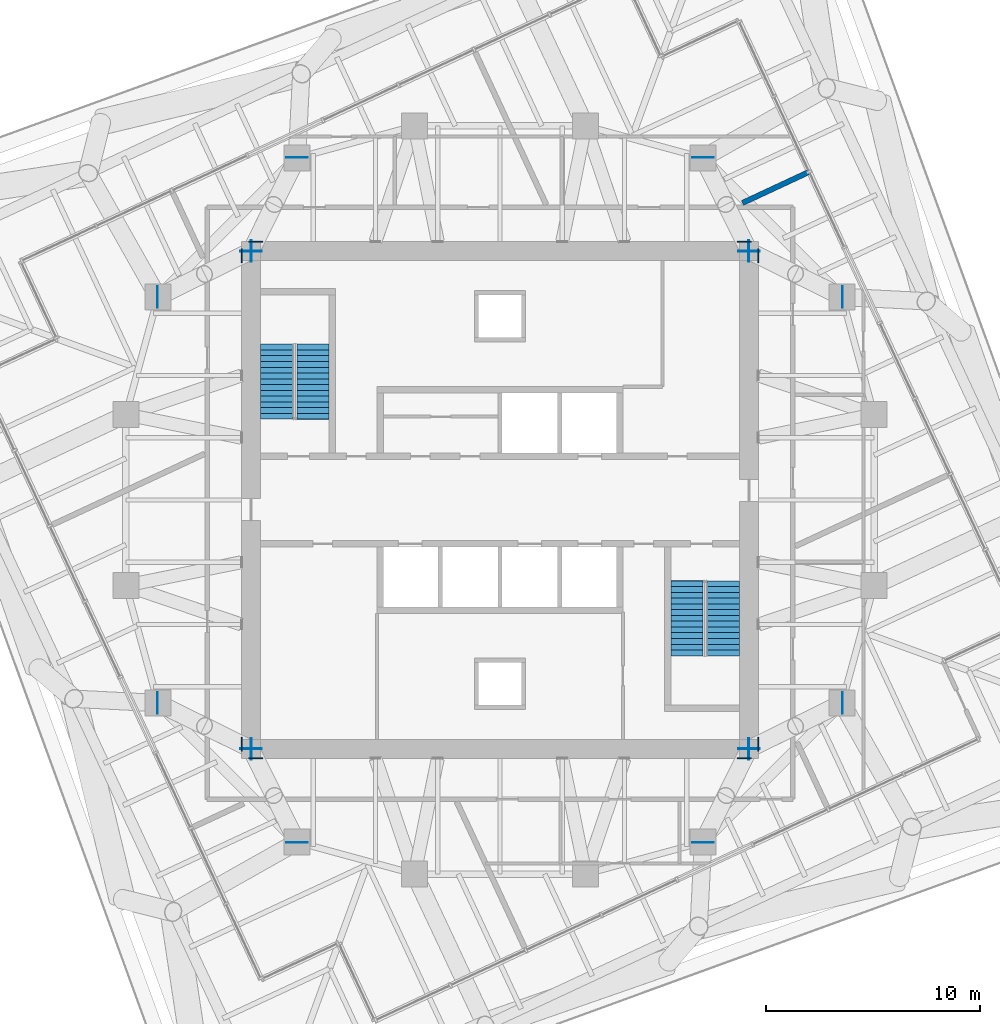
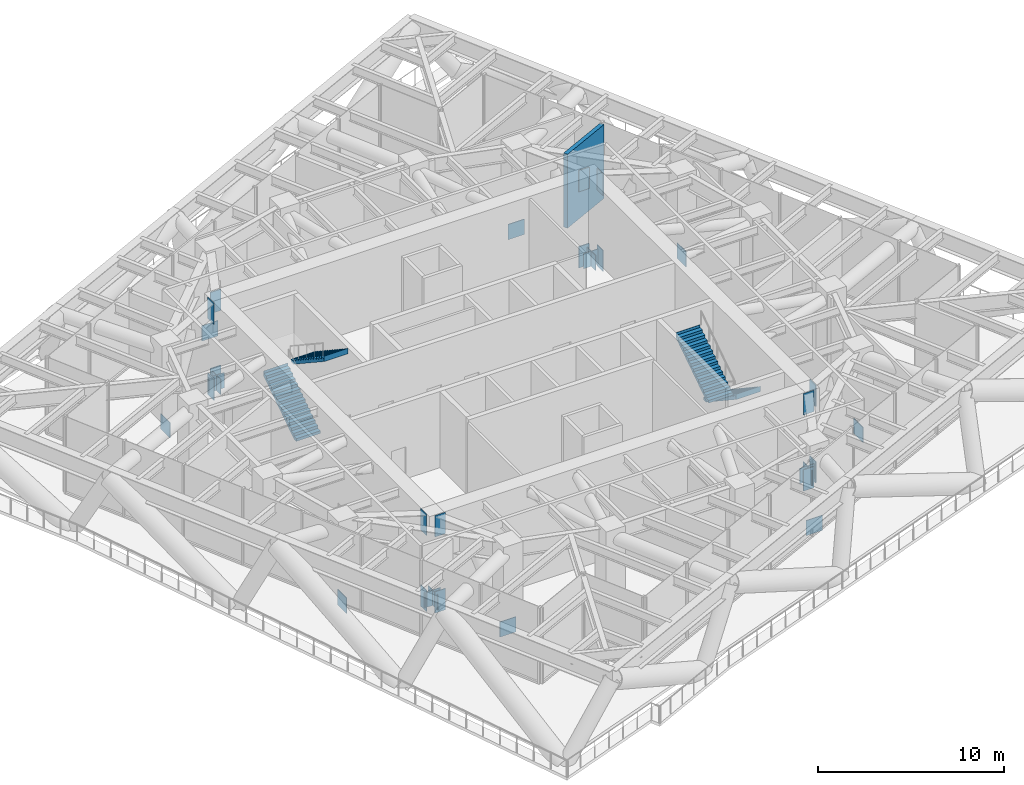
# One storey, part 11 of 16: 32 discrete accessories, 4 stair flights, 1 wall, 2 elements without a shape of their own.
"""IFC4 building model written with IfcOpenShell, lengths in metres."""

from ifc_helpers import new_model, si_unit, direction, frame, frame_2d, origin, origin_2d, place, context, subcontext, project, spatial, polyline, rectangle, outline, extrude, material, layer, layer_set, type_object, element, aggregate, save


model = new_model("IFC4")

# Units and contexts
model_context = context("Model", 3, precision=1e-05, world=origin(), true_north=direction((0.0, 1.0)))
body_context = subcontext(model_context, "Body", "Model", "MODEL_VIEW")
ifc_project = project(units=[si_unit("LENGTHUNIT", "METRE"), si_unit("AREAUNIT", "SQUARE_METRE"), si_unit("VOLUMEUNIT", "CUBIC_METRE"), si_unit("PLANEANGLEUNIT", "RADIAN"), si_unit("MASSUNIT", "GRAM", prefix="KILO")], contexts=[model_context])

# Site, building, storey
site_placement = place(None, origin())
site = spatial("IfcSite", under=ifc_project, at=site_placement, CompositionType="ELEMENT")
building_placement = place(site_placement, origin())
building = spatial("IfcBuilding", under=site, at=building_placement, Name="Torsade Residences", CompositionType="ELEMENT")
storey_placement = place(building_placement, frame((0.0, 0.0, 171.0)))
storey = spatial("IfcBuildingStorey", under=building, at=storey_placement, Name="L47", CompositionType="ELEMENT", Elevation=171.0)

# Wall
ifc_material_1 = material(Name="Masonry-lined stud party wall", Category="masonry")
ifc_layer_1 = layer(ifc_material_1, 0.25)
ifc_layer_set_1 = layer_set([ifc_layer_1], Name="Masonry-lined stud party wall")
wall_type = type_object("IfcWallType", Name="PARTY WALL 250", PredefinedType="PARTITIONING", material=ifc_layer_set_1)
wall_placement = place(storey_placement, frame((54.46728515625, 45.3525390625, 0.0), z_axis=(0.0, 0.0, 1.0), x_axis=(-0.906322475905, -0.422586759932, 0.0)))
element("IfcWall", 1, at=wall_placement, inside=storey, type_object=wall_type, Name="Party wall L47", PredefinedType="PARTITIONING", context=body_context, shape_type="SweptSolid", body=[
    extrude(rectangle(XDim=3.445556640625, YDim=0.25, at=frame_2d((1.72265625, 0.0))), origin(), (0.0, 0.0, 1.0), 4.85009765625),
])

# Stair, stair flights
ifc_material_2 = material(Name="Precast concrete 40 MPa", Category="concrete")
stair_type = type_object("IfcStairType", Name="HALF-TURN FIRE STAIR 1500x5000", PredefinedType="HALF_TURN_STAIR", material=ifc_material_2)
stair_1_placement = place(storey_placement, origin())
stair_1 = element("IfcStair", 2, at=stair_1_placement, inside=storey, type_object=stair_type, Name="Stair ST1 L47", PredefinedType="HALF_TURN_STAIR")
ifc_material_3 = material(Name="Precast concrete 40 MPa", Category="concrete")
stair_flight_type = type_object("IfcStairFlightType", Name="PRECAST STAIR FLIGHT 1500x2500", PredefinedType="STRAIGHT", material=ifc_material_3)
stair_flight_1_placement = place(storey_placement, frame((29.550048828125, 33.780029296875, 0.0), z_axis=(0.0, 0.0, 1.0), x_axis=(0.0, 1.0, 0.0)))
stair_flight_1 = element("IfcStairFlight", 3, at=stair_flight_1_placement, type_object=stair_flight_type, Name="ST1 flight 1", NumberOfRisers=14, NumberOfTreads=13, PredefinedType="STRAIGHT", RiserHeight=0.178571429, TreadLength=0.27, context=body_context, shape_type="SweptSolid", body=[
    extrude(outline(polyline([(0.0, 0.0), (0.0, 0.178466796875), (0.27001953125, 0.178466796875), (0.27001953125, 0.357177734375), (0.5400390625, 0.357177734375), (0.5400390625, 0.53564453125), (0.81005859375, 0.53564453125), (0.81005859375, 0.71435546875), (1.080078125, 0.71435546875), (1.080078125, 0.892822265625), (1.35009765625, 0.892822265625), (1.35009765625, 1.071533203125), (1.6201171875, 1.071533203125), (1.6201171875, 1.25), (1.889892578125, 1.25), (1.889892578125, 1.428466796875), (2.159912109375, 1.428466796875), (2.159912109375, 1.607177734375), (2.429931640625, 1.607177734375), (2.429931640625, 1.78564453125), (2.699951171875, 1.78564453125), (2.699951171875, 1.96435546875), (2.969970703125, 1.96435546875), (2.969970703125, 2.142822265625), (3.239990234375, 2.142822265625), (3.239990234375, 2.321533203125), (3.510009765625, 2.321533203125), (3.510009765625, 2.5), (3.52001953125, 2.5), (3.52001953125, 2.1416015625), (3.510009765625, 2.1416015625), (0.271728515625, 0.0), (0.0, 0.0)])), frame((0.0, 0.75, 0.0), z_axis=(0.0, -1.0, 0.0), x_axis=(1.0, 0.0, 0.0)), (0.0, 0.0, 1.0), 1.5),
])
stair_flight_2_placement = place(storey_placement, frame((31.25, 37.2900390625, 2.5), z_axis=(0.0, 0.0, 1.0), x_axis=(0.0, -1.0, 0.0)))
stair_flight_2 = element("IfcStairFlight", 4, at=stair_flight_2_placement, type_object=stair_flight_type, Name="ST1 flight 2", NumberOfRisers=14, NumberOfTreads=13, PredefinedType="STRAIGHT", RiserHeight=0.178571429, TreadLength=0.27, context=body_context, shape_type="SweptSolid", body=[
    extrude(outline(polyline([(0.0, 0.0), (0.0, 0.178466796875), (0.27001953125, 0.178466796875), (0.27001953125, 0.357177734375), (0.5400390625, 0.357177734375), (0.5400390625, 0.53564453125), (0.81005859375, 0.53564453125), (0.81005859375, 0.71435546875), (1.080078125, 0.71435546875), (1.080078125, 0.892822265625), (1.35009765625, 0.892822265625), (1.35009765625, 1.071533203125), (1.6201171875, 1.071533203125), (1.6201171875, 1.25), (1.889892578125, 1.25), (1.889892578125, 1.428466796875), (2.159912109375, 1.428466796875), (2.159912109375, 1.607177734375), (2.429931640625, 1.607177734375), (2.429931640625, 1.78564453125), (2.699951171875, 1.78564453125), (2.699951171875, 1.96435546875), (2.969970703125, 1.96435546875), (2.969970703125, 2.142822265625), (3.239990234375, 2.142822265625), (3.239990234375, 2.321533203125), (3.510009765625, 2.321533203125), (3.510009765625, 2.5), (3.52001953125, 2.5), (3.52001953125, 2.1416015625), (3.510009765625, 2.1416015625), (0.271728515625, 0.0), (0.0, 0.0)])), frame((0.0, 0.75, 0.0), z_axis=(0.0, -1.0, 0.0), x_axis=(1.0, 0.0, 0.0)), (0.0, 0.0, 1.0), 1.5),
])
aggregate(stair_1, [stair_flight_1, stair_flight_2])

stair_2_placement = place(storey_placement, origin())
stair_2 = element("IfcStair", 5, at=stair_2_placement, inside=storey, type_object=stair_type, Name="Stair ST2 L47", PredefinedType="HALF_TURN_STAIR")
stair_flight_3_placement = place(storey_placement, frame((50.449951171875, 26.219970703125, 0.0), z_axis=(0.0, 0.0, 1.0), x_axis=(0.0, -1.0, 0.0)))
stair_flight_3 = element("IfcStairFlight", 6, at=stair_flight_3_placement, type_object=stair_flight_type, Name="ST2 flight 1", NumberOfRisers=14, NumberOfTreads=13, PredefinedType="STRAIGHT", RiserHeight=0.178571429, TreadLength=0.27, context=body_context, shape_type="SweptSolid", body=[
    extrude(outline(polyline([(0.0, 0.0), (0.0, 0.178466796875), (0.27001953125, 0.178466796875), (0.27001953125, 0.357177734375), (0.5400390625, 0.357177734375), (0.5400390625, 0.53564453125), (0.81005859375, 0.53564453125), (0.81005859375, 0.71435546875), (1.080078125, 0.71435546875), (1.080078125, 0.892822265625), (1.35009765625, 0.892822265625), (1.35009765625, 1.071533203125), (1.6201171875, 1.071533203125), (1.6201171875, 1.25), (1.889892578125, 1.25), (1.889892578125, 1.428466796875), (2.159912109375, 1.428466796875), (2.159912109375, 1.607177734375), (2.429931640625, 1.607177734375), (2.429931640625, 1.78564453125), (2.699951171875, 1.78564453125), (2.699951171875, 1.96435546875), (2.969970703125, 1.96435546875), (2.969970703125, 2.142822265625), (3.239990234375, 2.142822265625), (3.239990234375, 2.321533203125), (3.510009765625, 2.321533203125), (3.510009765625, 2.5), (3.52001953125, 2.5), (3.52001953125, 2.1416015625), (3.510009765625, 2.1416015625), (0.271728515625, 0.0), (0.0, 0.0)])), frame((0.0, 0.75, 0.0), z_axis=(0.0, -1.0, 0.0), x_axis=(1.0, 0.0, 0.0)), (0.0, 0.0, 1.0), 1.5),
])
stair_flight_4_placement = place(storey_placement, frame((48.75, 22.7099609375, 2.5), z_axis=(0.0, 0.0, 1.0), x_axis=(0.0, 1.0, 0.0)))
stair_flight_4 = element("IfcStairFlight", 7, at=stair_flight_4_placement, type_object=stair_flight_type, Name="ST2 flight 2", NumberOfRisers=14, NumberOfTreads=13, PredefinedType="STRAIGHT", RiserHeight=0.178571429, TreadLength=0.27, context=body_context, shape_type="SweptSolid", body=[
    extrude(outline(polyline([(0.0, 0.0), (0.0, 0.178466796875), (0.27001953125, 0.178466796875), (0.27001953125, 0.357177734375), (0.5400390625, 0.357177734375), (0.5400390625, 0.53564453125), (0.81005859375, 0.53564453125), (0.81005859375, 0.71435546875), (1.080078125, 0.71435546875), (1.080078125, 0.892822265625), (1.35009765625, 0.892822265625), (1.35009765625, 1.071533203125), (1.6201171875, 1.071533203125), (1.6201171875, 1.25), (1.889892578125, 1.25), (1.889892578125, 1.428466796875), (2.159912109375, 1.428466796875), (2.159912109375, 1.607177734375), (2.429931640625, 1.607177734375), (2.429931640625, 1.78564453125), (2.699951171875, 1.78564453125), (2.699951171875, 1.96435546875), (2.969970703125, 1.96435546875), (2.969970703125, 2.142822265625), (3.239990234375, 2.142822265625), (3.239990234375, 2.321533203125), (3.510009765625, 2.321533203125), (3.510009765625, 2.5), (3.52001953125, 2.5), (3.52001953125, 2.1416015625), (3.510009765625, 2.1416015625), (0.271728515625, 0.0), (0.0, 0.0)])), frame((0.0, 0.75, 0.0), z_axis=(0.0, -1.0, 0.0), x_axis=(1.0, 0.0, 0.0)), (0.0, 0.0, 1.0), 1.5),
])
aggregate(stair_2, [stair_flight_3, stair_flight_4])

# Discrete accessories
ifc_material_4 = material(Name="Steel grade 350", Category="steel")
ifc_layer_2 = layer(ifc_material_4, 0.050048828125)
ifc_layer_set_2 = layer_set([ifc_layer_2], Name="Steel grade 350")
discrete_accessory_type_1 = type_object("IfcDiscreteAccessoryType", Name="CAST-IN PLATE 650x1400x50", PredefinedType="ANCHORPLATE", material=ifc_layer_set_2)
for number, where, z_axis, x_axis, name in (
    (8, (52.074951171875, 41.427490234375, 3.550048828125), (0.0, 0.0, 1.0), (1.0, 0.0, 0.0), "Cast-in plate OT1C CP-L47-IR03-T"),
    (9, (52.074951171875, 41.427490234375, -1.449951171875), (0.0, 0.0, 1.0), (1.0, 0.0, 0.0), "Cast-in plate OT1C CP-L47-IR03-B"),
):
    element("IfcDiscreteAccessory", number, at=place(storey_placement, frame(where, z_axis=z_axis, x_axis=x_axis)), inside=storey, type_object=discrete_accessory_type_1, Name=name, PredefinedType="ANCHORPLATE", context=body_context, shape_type="SweptSolid", body=[
        extrude(rectangle(XDim=0.050048828125, YDim=0.64990234375, at=origin_2d()), origin(), (0.0, 0.0, 1.0), 1.39990234375),
    ])
for number, where, z_axis, x_axis, name in (
    (10, (51.427490234375, 42.074951171875, 3.550048828125), (0.0, 0.0, 1.0), (1.0, 0.0, 0.0), "Cast-in plate OT1C CP-L47-IR04-T"),
    (11, (51.427490234375, 42.074951171875, -1.449951171875), (0.0, 0.0, 1.0), (1.0, 0.0, 0.0), "Cast-in plate OT1C CP-L47-IR04-B"),
    (12, (28.572509765625, 42.074951171875, 3.550048828125), (0.0, 0.0, 1.0), (1.0, 0.0, 0.0), "Cast-in plate OT1C CP-L47-IR07-T"),
    (13, (28.572509765625, 42.074951171875, -1.449951171875), (0.0, 0.0, 1.0), (1.0, 0.0, 0.0), "Cast-in plate OT1C CP-L47-IR07-B"),
):
    element("IfcDiscreteAccessory", number, at=place(storey_placement, frame(where, z_axis=z_axis, x_axis=x_axis)), inside=storey, type_object=discrete_accessory_type_1, Name=name, PredefinedType="ANCHORPLATE", context=body_context, shape_type="SweptSolid", body=[
        extrude(rectangle(XDim=0.64990234375, YDim=0.050048828125, at=origin_2d()), origin(), (0.0, 0.0, 1.0), 1.39990234375),
    ])
for number, where, z_axis, x_axis, name in (
    (14, (27.925048828125, 41.427490234375, 3.550048828125), (0.0, 0.0, 1.0), (1.0, 0.0, 0.0), "Cast-in plate OT1C CP-L47-IR08-T"),
    (15, (27.925048828125, 41.427490234375, -1.449951171875), (0.0, 0.0, 1.0), (1.0, 0.0, 0.0), "Cast-in plate OT1C CP-L47-IR08-B"),
    (16, (27.925048828125, 18.572509765625, 3.550048828125), (0.0, 0.0, 1.0), (1.0, 0.0, 0.0), "Cast-in plate OT1C CP-L47-IR11-T"),
    (17, (27.925048828125, 18.572509765625, -1.449951171875), (0.0, 0.0, 1.0), (1.0, 0.0, 0.0), "Cast-in plate OT1C CP-L47-IR11-B"),
):
    element("IfcDiscreteAccessory", number, at=place(storey_placement, frame(where, z_axis=z_axis, x_axis=x_axis)), inside=storey, type_object=discrete_accessory_type_1, Name=name, PredefinedType="ANCHORPLATE", context=body_context, shape_type="SweptSolid", body=[
        extrude(rectangle(XDim=0.050048828125, YDim=0.64990234375, at=origin_2d()), origin(), (0.0, 0.0, 1.0), 1.39990234375),
    ])
for number, where, z_axis, x_axis, name in (
    (18, (28.572509765625, 17.925048828125, 3.550048828125), (0.0, 0.0, 1.0), (1.0, 0.0, 0.0), "Cast-in plate OT1C CP-L47-IR12-T"),
    (19, (28.572509765625, 17.925048828125, -1.449951171875), (0.0, 0.0, 1.0), (1.0, 0.0, 0.0), "Cast-in plate OT1C CP-L47-IR12-B"),
    (20, (51.427490234375, 17.925048828125, 3.550048828125), (0.0, 0.0, 1.0), (1.0, 0.0, 0.0), "Cast-in plate OT1C CP-L47-IR15-T"),
    (21, (51.427490234375, 17.925048828125, -1.449951171875), (0.0, 0.0, 1.0), (1.0, 0.0, 0.0), "Cast-in plate OT1C CP-L47-IR15-B"),
):
    element("IfcDiscreteAccessory", number, at=place(storey_placement, frame(where, z_axis=z_axis, x_axis=x_axis)), inside=storey, type_object=discrete_accessory_type_1, Name=name, PredefinedType="ANCHORPLATE", context=body_context, shape_type="SweptSolid", body=[
        extrude(rectangle(XDim=0.64990234375, YDim=0.050048828125, at=origin_2d()), origin(), (0.0, 0.0, 1.0), 1.39990234375),
    ])
for number, where, z_axis, x_axis, name in (
    (22, (52.074951171875, 18.572509765625, 3.550048828125), (0.0, 0.0, 1.0), (1.0, 0.0, 0.0), "Cast-in plate OT1C CP-L47-IR16-T"),
    (23, (52.074951171875, 18.572509765625, -1.449951171875), (0.0, 0.0, 1.0), (1.0, 0.0, 0.0), "Cast-in plate OT1C CP-L47-IR16-B"),
):
    element("IfcDiscreteAccessory", number, at=place(storey_placement, frame(where, z_axis=z_axis, x_axis=x_axis)), inside=storey, type_object=discrete_accessory_type_1, Name=name, PredefinedType="ANCHORPLATE", context=body_context, shape_type="SweptSolid", body=[
        extrude(rectangle(XDim=0.050048828125, YDim=0.64990234375, at=origin_2d()), origin(), (0.0, 0.0, 1.0), 1.39990234375),
    ])
ifc_material_5 = material(Name="Steel grade 350", Category="steel")
ifc_layer_3 = layer(ifc_material_5, 0.0400390625)
ifc_layer_set_3 = layer_set([ifc_layer_3], Name="Steel grade 350")
discrete_accessory_type_2 = type_object("IfcDiscreteAccessoryType", Name="END PLATE 1000x1000x40", PredefinedType="ANCHORPLATE", material=ifc_layer_set_3)
for number, where, z_axis, x_axis, name in (
    (24, (51.6298828125, 41.64990234375, -1.25), (0.0, 0.0, 1.0), (1.0, 0.0, 0.0), "End plate OT1D EP-L47-IR03-D1"),
    (25, (56.02001953125, 39.5, -1.25), (0.0, 0.0, 1.0), (1.0, 0.0, 0.0), "End plate OT1D EP-L47-IR03-D2"),
):
    element("IfcDiscreteAccessory", number, at=place(storey_placement, frame(where, z_axis=z_axis, x_axis=x_axis)), inside=storey, type_object=discrete_accessory_type_2, Name=name, PredefinedType="ANCHORPLATE", context=body_context, shape_type="SweptSolid", body=[
        extrude(rectangle(XDim=0.0400390625, YDim=1.0, at=origin_2d()), origin(), (0.0, 0.0, 1.0), 1.0),
    ])
for number, where, z_axis, x_axis, name in (
    (26, (51.64990234375, 41.6298828125, -1.25), (0.0, 0.0, 1.0), (1.0, 0.0, 0.0), "End plate OT1D EP-L47-IR04-D1"),
    (27, (49.5, 46.02001953125, -1.25), (0.0, 0.0, 1.0), (1.0, 0.0, 0.0), "End plate OT1D EP-L47-IR04-D2"),
    (28, (28.35009765625, 41.6298828125, -1.25), (0.0, 0.0, 1.0), (1.0, 0.0, 0.0), "End plate OT1D EP-L47-IR07-D1"),
    (29, (30.5, 46.02001953125, -1.25), (0.0, 0.0, 1.0), (1.0, 0.0, 0.0), "End plate OT1D EP-L47-IR07-D2"),
):
    element("IfcDiscreteAccessory", number, at=place(storey_placement, frame(where, z_axis=z_axis, x_axis=x_axis)), inside=storey, type_object=discrete_accessory_type_2, Name=name, PredefinedType="ANCHORPLATE", context=body_context, shape_type="SweptSolid", body=[
        extrude(rectangle(XDim=1.0, YDim=0.0400390625, at=origin_2d()), origin(), (0.0, 0.0, 1.0), 1.0),
    ])
for number, where, z_axis, x_axis, name in (
    (30, (28.3701171875, 41.64990234375, -1.25), (0.0, 0.0, 1.0), (1.0, 0.0, 0.0), "End plate OT1D EP-L47-IR08-D1"),
    (31, (23.97998046875, 39.5, -1.25), (0.0, 0.0, 1.0), (1.0, 0.0, 0.0), "End plate OT1D EP-L47-IR08-D2"),
    (32, (28.3701171875, 18.35009765625, -1.25), (0.0, 0.0, 1.0), (1.0, 0.0, 0.0), "End plate OT1D EP-L47-IR11-D1"),
    (33, (23.97998046875, 20.5, -1.25), (0.0, 0.0, 1.0), (1.0, 0.0, 0.0), "End plate OT1D EP-L47-IR11-D2"),
):
    element("IfcDiscreteAccessory", number, at=place(storey_placement, frame(where, z_axis=z_axis, x_axis=x_axis)), inside=storey, type_object=discrete_accessory_type_2, Name=name, PredefinedType="ANCHORPLATE", context=body_context, shape_type="SweptSolid", body=[
        extrude(rectangle(XDim=0.0400390625, YDim=1.0, at=origin_2d()), origin(), (0.0, 0.0, 1.0), 1.0),
    ])
for number, where, z_axis, x_axis, name in (
    (34, (28.35009765625, 18.3701171875, -1.25), (0.0, 0.0, 1.0), (1.0, 0.0, 0.0), "End plate OT1D EP-L47-IR12-D1"),
    (35, (30.5, 13.97998046875, -1.25), (0.0, 0.0, 1.0), (1.0, 0.0, 0.0), "End plate OT1D EP-L47-IR12-D2"),
    (36, (51.64990234375, 18.3701171875, -1.25), (0.0, 0.0, 1.0), (1.0, 0.0, 0.0), "End plate OT1D EP-L47-IR15-D1"),
    (37, (49.5, 13.97998046875, -1.25), (0.0, 0.0, 1.0), (1.0, 0.0, 0.0), "End plate OT1D EP-L47-IR15-D2"),
):
    element("IfcDiscreteAccessory", number, at=place(storey_placement, frame(where, z_axis=z_axis, x_axis=x_axis)), inside=storey, type_object=discrete_accessory_type_2, Name=name, PredefinedType="ANCHORPLATE", context=body_context, shape_type="SweptSolid", body=[
        extrude(rectangle(XDim=1.0, YDim=0.0400390625, at=origin_2d()), origin(), (0.0, 0.0, 1.0), 1.0),
    ])
for number, where, z_axis, x_axis, name in (
    (38, (51.6298828125, 18.35009765625, -1.25), (0.0, 0.0, 1.0), (1.0, 0.0, 0.0), "End plate OT1D EP-L47-IR16-D1"),
    (39, (56.02001953125, 20.5, -1.25), (0.0, 0.0, 1.0), (1.0, 0.0, 0.0), "End plate OT1D EP-L47-IR16-D2"),
):
    element("IfcDiscreteAccessory", number, at=place(storey_placement, frame(where, z_axis=z_axis, x_axis=x_axis)), inside=storey, type_object=discrete_accessory_type_2, Name=name, PredefinedType="ANCHORPLATE", context=body_context, shape_type="SweptSolid", body=[
        extrude(rectangle(XDim=0.0400390625, YDim=1.0, at=origin_2d()), origin(), (0.0, 0.0, 1.0), 1.0),
    ])

save(model, "model.ifc")
